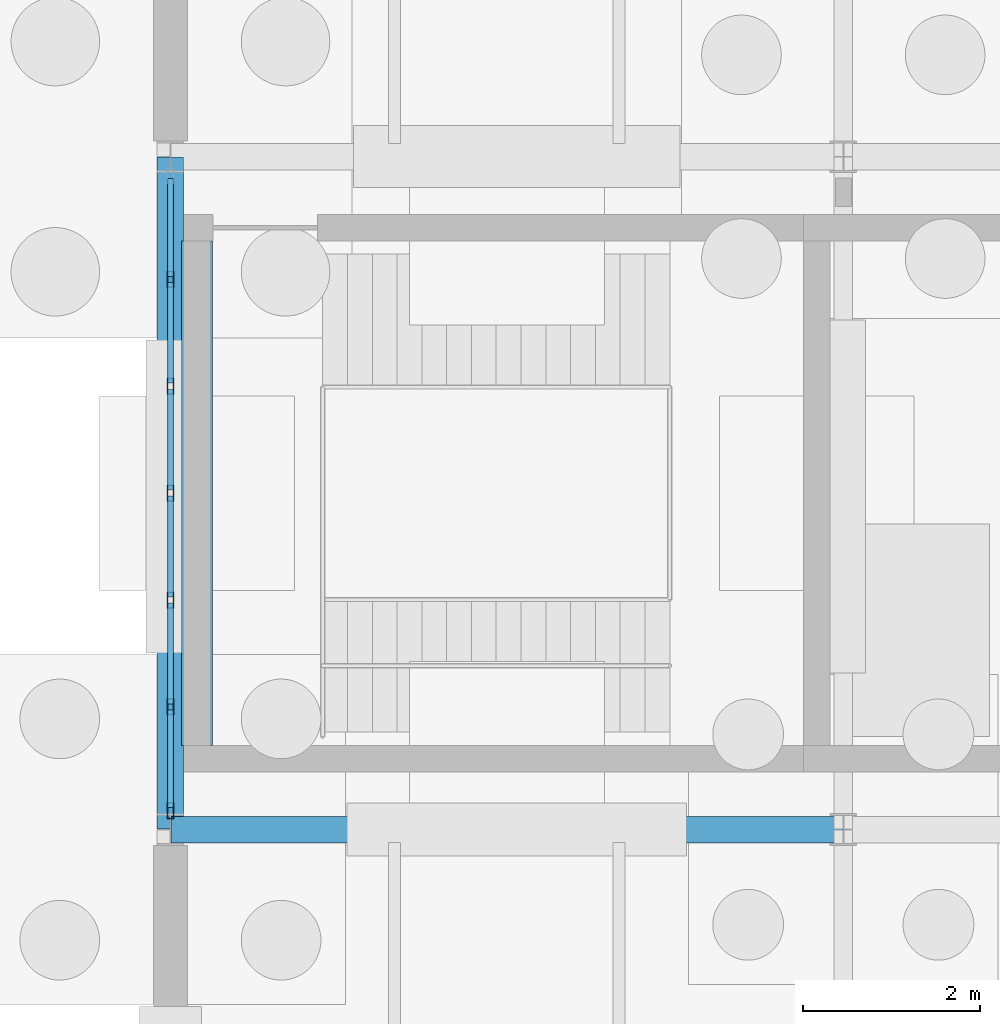
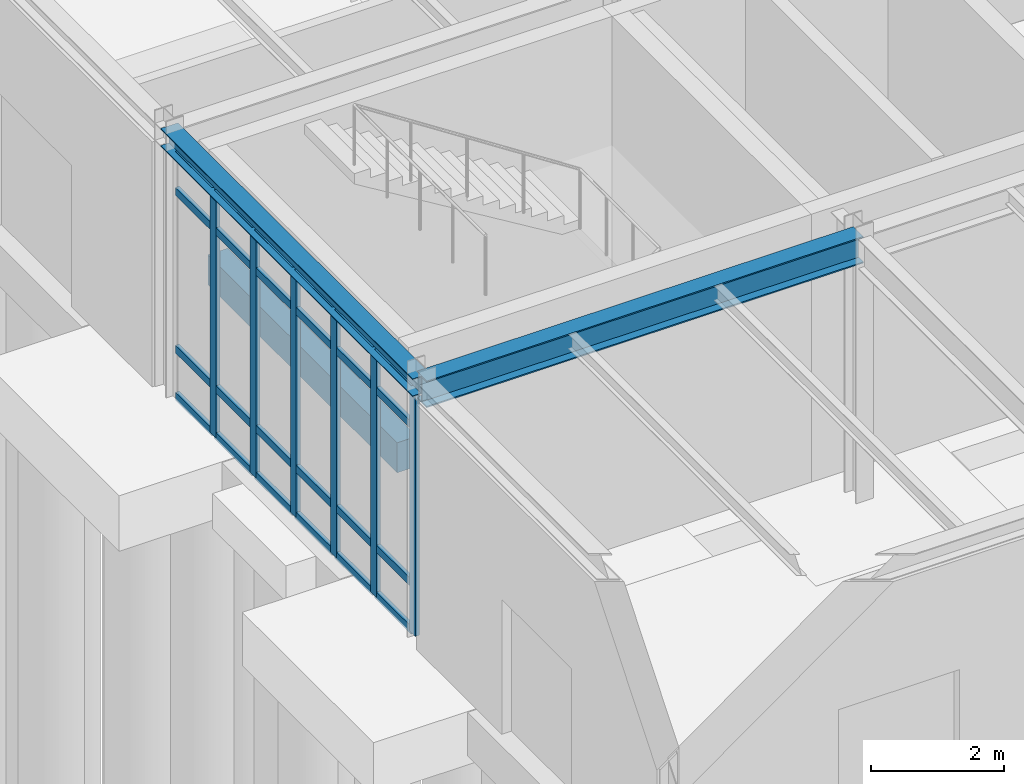
# One storey, part 28 of 109: 30 members, 3 beams, 1 element without a shape of its own.
"""IFC4 building model written with IfcOpenShell, lengths in metres."""

import ifcopenshell
import ifcopenshell.guid

model = None  # the IFC model being written
_history = None  # IfcOwnerHistory: only IFC2X3 demands one
_inside = {}  # id of a spatial element -> (the spatial element, [elements in it])
_under = {}  # id of a project, library or spatial element -> (it, [spatial elements below it])
_declared = {}  # id of a project -> (the project, [libraries it declares])
_typed = {}  # id of a type object -> (the type object, [elements of that type])
_made_of = {}  # id of a material, layer set ... -> (it, [elements and type objects made of it])


def new_model(schema):
    """Start an empty IFC model of exactly this schema.

    Asked for "IFC4X3", IfcOpenShell would pick the latest addendum, in which some entities
    have other attributes; the version numbers below select the first issue.
    IFC2X3 requires an IfcOwnerHistory on every rooted entity: one is made here for all.
    """
    global model, _history
    if schema == "IFC4X3":
        model = ifcopenshell.file(schema_version=(4, 3, 0, 0))
    else:
        model = ifcopenshell.file(schema=schema)
    _inside.clear()
    _under.clear()
    _declared.clear()
    _typed.clear()
    _made_of.clear()
    _history = None
    if model.schema == "IFC2X3":
        org = make("IfcOrganization", Name="unknown")
        user = make(
            "IfcPersonAndOrganization",
            ThePerson=make("IfcPerson", FamilyName="unknown"),
            TheOrganization=org,
        )
        app = make(
            "IfcApplication",
            ApplicationDeveloper=org,
            Version="unknown",
            ApplicationFullName="unknown",
            ApplicationIdentifier="unknown",
        )
        _history = make(
            "IfcOwnerHistory",
            OwningUser=user,
            OwningApplication=app,
            ChangeAction="ADDED",
            CreationDate=0,
        )
    return model


def make(cls, **values):
    """One entity of the class cls with the attributes given. An attribute that is None is left unset."""
    return model.create_entity(
        cls, **{name: value for name, value in values.items() if value is not None}
    )


def rooted(cls, **values):
    """An entity with a GlobalId (a new one), such as an element, a storey or a relation."""
    return make(cls, GlobalId=ifcopenshell.guid.new(), OwnerHistory=_history, **values)


def si_unit(unit_type, name, prefix=None):
    """IfcSIUnit, for example si_unit("LENGTHUNIT", "METRE", prefix="MILLI")."""
    return make("IfcSIUnit", UnitType=unit_type, Prefix=prefix, Name=name)


def assignment(units):
    """IfcUnitAssignment: the units of a project."""
    return None if units is None else make("IfcUnitAssignment", Units=units)


def point(xyz):
    """IfcCartesianPoint."""
    return None if xyz is None else make("IfcCartesianPoint", Coordinates=xyz)


def direction(xyz):
    """IfcDirection."""
    return None if xyz is None else make("IfcDirection", DirectionRatios=xyz)


def frame(location, z_axis=None, x_axis=None):
    """IfcAxis2Placement3D, a coordinate frame: its origin and axes. An axis left out is left unset."""
    return make(
        "IfcAxis2Placement3D",
        Location=point(location),
        Axis=direction(z_axis),
        RefDirection=direction(x_axis),
    )


def frame_2d(location, x_axis=None):
    """IfcAxis2Placement2D, a coordinate frame in the plane: its origin and x axis."""
    return make(
        "IfcAxis2Placement2D", Location=point(location), RefDirection=direction(x_axis)
    )


def origin():
    """The frame at (0, 0, 0) with its axes left unset."""
    return frame((0.0, 0.0, 0.0))


def origin_2d():
    """The frame at (0, 0) in the plane with its x axis left unset."""
    return frame_2d((0.0, 0.0))


def place(relative_to, where):
    """IfcLocalPlacement: puts the frame where relative to a parent placement (None: the world)."""
    return make(
        "IfcLocalPlacement", PlacementRelTo=relative_to, RelativePlacement=where
    )


def context(
    kind, dimensions, precision=None, world=None, true_north=None, identifier=None
):
    """IfcGeometricRepresentationContext, for example the 3D "Model" context."""
    return make(
        "IfcGeometricRepresentationContext",
        ContextIdentifier=identifier,
        ContextType=kind,
        CoordinateSpaceDimension=dimensions,
        Precision=precision,
        WorldCoordinateSystem=world,
        TrueNorth=true_north,
    )


def subcontext(parent, identifier, kind, view, scale=None):
    """IfcGeometricRepresentationSubContext, for example "Body" below "Model"."""
    return make(
        "IfcGeometricRepresentationSubContext",
        ContextIdentifier=identifier,
        ContextType=kind,
        ParentContext=parent,
        TargetScale=scale,
        TargetView=view,
    )


def project(units=None, contexts=None):
    """IfcProject with its units and contexts."""
    return rooted(
        "IfcProject",
        Name="project",
        RepresentationContexts=contexts,
        UnitsInContext=assignment(units),
    )


def spatial(cls, under=None, at=None, **own):
    """A site, building, storey or space (cls), placed at a placement, below another one or the project."""
    s = rooted(cls, ObjectPlacement=at, **own)
    if under is not None:
        _under.setdefault(under.id(), (under, []))[1].append(s)
    return s


def profile(cls, at=None, kind="AREA", **sizes):
    """A parametric profile (cls). Its sizes go by their IFC names, for example OverallWidth=200.0."""
    return make(cls, ProfileType=kind, Position=at, **sizes)


def rectangle(**sizes):
    """IfcRectangleProfileDef."""
    return profile("IfcRectangleProfileDef", **sizes)


def hollow_rectangle(**sizes):
    """IfcRectangleHollowProfileDef."""
    return profile("IfcRectangleHollowProfileDef", **sizes)


def i_section(**sizes):
    """IfcIShapeProfileDef."""
    return profile("IfcIShapeProfileDef", **sizes)


def extrude(swept, where, along, depth):
    """IfcExtrudedAreaSolid: the profile swept, set in the frame where, extruded along a direction by depth."""
    return make(
        "IfcExtrudedAreaSolid",
        SweptArea=swept,
        Position=where,
        ExtrudedDirection=direction(along),
        Depth=depth,
    )


def shape(context_of_items, identifier, shape_type, items):
    """IfcShapeRepresentation: the items that make up one representation, for example the "Body"."""
    return make(
        "IfcShapeRepresentation",
        ContextOfItems=context_of_items,
        RepresentationIdentifier=identifier,
        RepresentationType=shape_type,
        Items=items,
    )


def material(Name=None, Category=None):
    """IfcMaterial."""
    return make("IfcMaterial", Name=Name, Category=Category)


def layer(
    of_material, thickness, ventilated=None, Name=None, Category=None, Priority=None
):
    """IfcMaterialLayer: one layer of a wall or slab, of a material (None: an air gap)."""
    return make(
        "IfcMaterialLayer",
        Material=of_material,
        LayerThickness=thickness,
        IsVentilated=ventilated,
        Name=Name,
        Category=Category,
        Priority=Priority,
    )


def layer_set(layers, Name=None):
    """IfcMaterialLayerSet."""
    return make("IfcMaterialLayerSet", MaterialLayers=layers, LayerSetName=Name)


def material_profile(
    of_material, cross_section, Name=None, Category=None, Priority=None
):
    """IfcMaterialProfile: a cross section and its material."""
    return make(
        "IfcMaterialProfile",
        Name=Name,
        Material=of_material,
        Profile=cross_section,
        Priority=Priority,
        Category=Category,
    )


def profile_set(profiles, Name=None, composite=None):
    """IfcMaterialProfileSet."""
    return make(
        "IfcMaterialProfileSet",
        Name=Name,
        MaterialProfiles=profiles,
        CompositeProfile=composite,
    )


def made_of(thing, what):
    """Note that an element or type object is made of a material, layer set ...; save() writes the relation."""
    if what is not None:
        _made_of.setdefault(what.id(), (what, []))[1].append(thing)
    return thing


def type_object(cls, material=None, **own):
    """A type object (cls), such as IfcWallType, which elements share."""
    return made_of(rooted(cls, **own), material)


def element(
    cls,
    number,
    at=None,
    inside=None,
    cuts=None,
    type_object=None,
    material=None,
    context=None,
    identifier="Body",
    shape_type=None,
    held_by="IfcProductDefinitionShape",
    body=None,
    shapes=None,
    **own,
):
    """One element of the class cls, such as IfcWall. Its Tag is "e" and its number.

    at: its placement. inside: the storey or other place that contains it. cuts: it is an
    opening in that element (IfcRelVoidsElement). A single representation is given by context,
    identifier, shape_type and body (its items); several are given by shapes. held_by: the class
    of the entity that holds the representations. save() writes the other relations.
    """
    e = rooted(cls, Tag="e%d" % number, ObjectPlacement=at, **own)
    if body is not None:
        shapes = [shape(context, identifier, shape_type, body)]
    if shapes is not None:
        e.Representation = make(held_by, Representations=shapes)
    if inside is not None:
        _inside.setdefault(inside.id(), (inside, []))[1].append(e)
    if cuts is not None:
        rooted(
            "IfcRelVoidsElement", RelatingBuildingElement=cuts, RelatedOpeningElement=e
        )
    if type_object is not None:
        _typed.setdefault(type_object.id(), (type_object, []))[1].append(e)
    return made_of(e, material)


def aggregate(whole, parts):
    """IfcRelAggregates: a whole, such as a stair, and the parts it consists of."""
    return rooted("IfcRelAggregates", RelatingObject=whole, RelatedObjects=parts)


def save(model, path):
    """Write the relations noted so far, then the file.

    IfcRelAggregates (storeys below a building ...), IfcRelContainedInSpatialStructure (elements
    in a storey), IfcRelDefinesByType, IfcRelAssociatesMaterial and IfcRelDeclares: one each for
    every whole, place, type object, material and project.
    """
    for whole, parts in _under.values():
        aggregate(whole, parts)
    for where, things in _inside.values():
        rooted(
            "IfcRelContainedInSpatialStructure",
            RelatedElements=things,
            RelatingStructure=where,
        )
    for kind, things in _typed.values():
        rooted("IfcRelDefinesByType", RelatedObjects=things, RelatingType=kind)
    for what, things in _made_of.values():
        rooted("IfcRelAssociatesMaterial", RelatedObjects=things, RelatingMaterial=what)
    for by, libraries in _declared.values():
        rooted("IfcRelDeclares", RelatingContext=by, RelatedDefinitions=libraries)
    model.write(path)


model = new_model("IFC4")

# Units and contexts
model_context = context("Model", 3, precision=1e-05, world=origin(), true_north=direction((0.0, 1.0)))
body_context = subcontext(model_context, "Body", "Model", "MODEL_VIEW")
ifc_project = project(units=[si_unit("LENGTHUNIT", "METRE"), si_unit("AREAUNIT", "SQUARE_METRE"), si_unit("VOLUMEUNIT", "CUBIC_METRE"), si_unit("PLANEANGLEUNIT", "RADIAN"), si_unit("MASSUNIT", "GRAM", prefix="KILO")], contexts=[model_context])

# Site, building, storey
site_placement = place(None, origin())
site = spatial("IfcSite", under=ifc_project, at=site_placement, CompositionType="ELEMENT")
building_placement = place(site_placement, origin())
building = spatial("IfcBuilding", under=site, at=building_placement, Name="Montecoro Central Library", CompositionType="ELEMENT")
storey_placement = place(building_placement, origin())
storey = spatial("IfcBuildingStorey", under=building, at=storey_placement, Name="L00", CompositionType="ELEMENT", Elevation=0.0)

# Beams
ifc_material_1 = material(Name="Steel S355J2", Category="steel")
ifc_material_profile_1 = material_profile(ifc_material_1, i_section(OverallWidth=0.300048828125, OverallDepth=0.489990234375, WebThickness=0.011962890625, FlangeThickness=0.02294921875, at=origin_2d()), Name="HEA 500")
ifc_profile_set_1 = profile_set([ifc_material_profile_1], Name="Steel S355J2")
beam_type_1 = type_object("IfcBeamType", Name="BM-G-HEA500", PredefinedType="USERDEFINED", material=ifc_profile_set_1)
beam_1_placement = place(storey_placement, frame((5.0048828125, 12.60009765625, 4.60009765625), z_axis=(1.0, 0.0, 0.0), x_axis=(0.0, 1.0, 0.0)))
element("IfcBeam", 1, at=beam_1_placement, inside=storey, type_object=beam_type_1, Name="V3-L00-BX-12-B", ObjectType="GIRDER", PredefinedType="USERDEFINED", context=body_context, shape_type="SweptSolid", body=[
    extrude(i_section(OverallWidth=0.300048828125, OverallDepth=0.489990234375, WebThickness=0.011962890625, FlangeThickness=0.02294921875, at=origin_2d()), origin(), (0.0, 0.0, 1.0), 7.590087890625),
])
ifc_material_2 = material(Name="Concrete C35/45", Category="concrete")
ifc_material_profile_2 = material_profile(ifc_material_2, rectangle(XDim=0.35009765625, YDim=0.550048828125, at=origin_2d()), Name="RC LNT 550x350")
ifc_profile_set_2 = profile_set([ifc_material_profile_2], Name="Concrete C35/45")
beam_type_2 = type_object("IfcBeamType", Name="BM-LN-RC04", PredefinedType="LINTEL", material=ifc_profile_set_2)
beam_2_placement = place(storey_placement, frame((5.300048828125, 13.550048828125, 2.72509765625), z_axis=(0.0, 1.0, 0.0), x_axis=(-1.0, 0.0, 0.0)))
element("IfcBeam", 2, at=beam_2_placement, inside=storey, type_object=beam_type_2, Name="C4-L00-LNT", PredefinedType="LINTEL", context=body_context, shape_type="SweptSolid", body=[
    extrude(rectangle(XDim=0.35009765625, YDim=0.550048828125, at=origin_2d()), origin(), (0.0, 0.0, 1.0), 5.699951171875),
])
ifc_material_3 = material(Name="Steel S355", Category="steel")
ifc_material_profile_3 = material_profile(ifc_material_3, i_section(OverallWidth=0.300048828125, OverallDepth=0.330078125, WebThickness=0.009521484375, FlangeThickness=0.0166015625, at=origin_2d()), Name="HEA 340")
ifc_profile_set_3 = profile_set([ifc_material_profile_3], Name="Steel S355")
beam_type_3 = type_object("IfcBeamType", Name="BM-SP-HEA340", PredefinedType="SPANDREL", material=ifc_profile_set_3)
beam_3_placement = place(storey_placement, frame((5.0, 12.60498046875, 4.679931640625), z_axis=(0.0, 1.0, 0.0), x_axis=(-1.0, 0.0, 0.0)))
element("IfcBeam", 3, at=beam_3_placement, inside=storey, type_object=beam_type_3, Name="V3-L00-BY-1-BC", PredefinedType="SPANDREL", context=body_context, shape_type="SweptSolid", body=[
    extrude(i_section(OverallWidth=0.300048828125, OverallDepth=0.330078125, WebThickness=0.009521484375, FlangeThickness=0.0166015625, at=origin_2d()), origin(), (0.0, 0.0, 1.0), 7.590087890625),
])

# Curtain wall, members
ifc_material_4 = material(Name="Bronze-anodised aluminium and low-E glazing", Category="aluminium")
ifc_layer = layer(ifc_material_4, 0.159912109375)
ifc_layer_set = layer_set([ifc_layer], Name="Bronze-anodised aluminium and low-E glazing")
curtain_wall_type = type_object("IfcCurtainWallType", Name="CWT-028", PredefinedType="NOTDEFINED", material=ifc_layer_set)
curtain_wall_placement = place(storey_placement, origin())
curtain_wall = element("IfcCurtainWall", 4, at=curtain_wall_placement, inside=storey, type_object=curtain_wall_type, Name="V3-L00-CW-W1", PredefinedType="NOTDEFINED")
ifc_material_5 = material(Name="Bronze-anodised aluminium", Category="aluminium")
ifc_material_profile_4 = material_profile(ifc_material_5, hollow_rectangle(XDim=0.070068359375, YDim=0.179931640625, WallThickness=0.0048828125, at=origin_2d()), Name="CWM 180x70x5.0")
ifc_profile_set_4 = profile_set([ifc_material_profile_4], Name="Bronze-anodised aluminium")
member_type_1 = type_object("IfcMemberType", Name="CWM-BRZ-70", PredefinedType="MULLION", material=ifc_profile_set_4)
member_1_placement = place(storey_placement, frame((5.0, 18.814697265625, 0.0), z_axis=(0.0, 0.0, 1.0), x_axis=(1.0, 0.0, 0.0)))
member_1 = element("IfcMember", 5, at=member_1_placement, type_object=member_type_1, Name="CW-028 mullion 2", PredefinedType="MULLION", context=body_context, shape_type="SweptSolid", body=[
    extrude(hollow_rectangle(XDim=0.070068359375, YDim=0.179931640625, WallThickness=0.0048828125, at=origin_2d()), origin(), (0.0, 0.0, 1.0), 4.5),
])
member_2_placement = place(storey_placement, frame((5.0, 17.607421875, 0.0), z_axis=(0.0, 0.0, 1.0), x_axis=(1.0, 0.0, 0.0)))
member_2 = element("IfcMember", 6, at=member_2_placement, type_object=member_type_1, Name="CW-028 mullion 3", PredefinedType="MULLION", context=body_context, shape_type="SweptSolid", body=[
    extrude(hollow_rectangle(XDim=0.070068359375, YDim=0.179931640625, WallThickness=0.0048828125, at=origin_2d()), origin(), (0.0, 0.0, 1.0), 4.5),
])
member_3_placement = place(storey_placement, frame((5.0, 16.39990234375, 0.0), z_axis=(0.0, 0.0, 1.0), x_axis=(1.0, 0.0, 0.0)))
member_3 = element("IfcMember", 7, at=member_3_placement, type_object=member_type_1, Name="CW-028 mullion 4", PredefinedType="MULLION", context=body_context, shape_type="SweptSolid", body=[
    extrude(hollow_rectangle(XDim=0.070068359375, YDim=0.179931640625, WallThickness=0.0048828125, at=origin_2d()), origin(), (0.0, 0.0, 1.0), 4.5),
])
member_4_placement = place(storey_placement, frame((5.0, 15.192626953125, 0.0), z_axis=(0.0, 0.0, 1.0), x_axis=(1.0, 0.0, 0.0)))
member_4 = element("IfcMember", 8, at=member_4_placement, type_object=member_type_1, Name="CW-028 mullion 5", PredefinedType="MULLION", context=body_context, shape_type="SweptSolid", body=[
    extrude(hollow_rectangle(XDim=0.070068359375, YDim=0.179931640625, WallThickness=0.0048828125, at=origin_2d()), origin(), (0.0, 0.0, 1.0), 4.5),
])
member_5_placement = place(storey_placement, frame((5.0, 13.9853515625, 0.0), z_axis=(0.0, 0.0, 1.0), x_axis=(1.0, 0.0, 0.0)))
member_5 = element("IfcMember", 9, at=member_5_placement, type_object=member_type_1, Name="CW-028 mullion 6", PredefinedType="MULLION", context=body_context, shape_type="SweptSolid", body=[
    extrude(hollow_rectangle(XDim=0.070068359375, YDim=0.179931640625, WallThickness=0.0048828125, at=origin_2d()), origin(), (0.0, 0.0, 1.0), 4.5),
])
member_6_placement = place(storey_placement, frame((5.0, 12.81298828125, 0.0), z_axis=(0.0, 0.0, 1.0), x_axis=(1.0, 0.0, 0.0)))
member_6 = element("IfcMember", 10, at=member_6_placement, type_object=member_type_1, Name="CW-028 mullion 7", PredefinedType="MULLION", context=body_context, shape_type="SweptSolid", body=[
    extrude(hollow_rectangle(XDim=0.070068359375, YDim=0.179931640625, WallThickness=0.0048828125, at=origin_2d()), origin(), (0.0, 0.0, 1.0), 4.5),
])
ifc_material_profile_5 = material_profile(ifc_material_5, hollow_rectangle(XDim=0.070068359375, YDim=0.139892578125, WallThickness=0.00390625, at=origin_2d()), Name="CWT 140x70x4.0")
ifc_profile_set_5 = profile_set([ifc_material_profile_5], Name="Bronze-anodised aluminium")
member_type_2 = type_object("IfcMemberType", Name="CWT-BRZ-70", PredefinedType="USERDEFINED", material=ifc_profile_set_5)
member_7_placement = place(storey_placement, frame((5.0, 19.951904296875, 0.034912109375), z_axis=(0.0, -1.0, 0.0), x_axis=(1.0, 0.0, 0.0)))
member_7 = element("IfcMember", 11, at=member_7_placement, type_object=member_type_2, Name="CW-028 transom 1.1", ObjectType="TRANSOM", PredefinedType="USERDEFINED", context=body_context, shape_type="SweptSolid", body=[
    extrude(hollow_rectangle(XDim=0.070068359375, YDim=0.139892578125, WallThickness=0.00390625, at=origin_2d()), origin(), (0.0, 0.0, 1.0), 1.102294921875),
])
member_8_placement = place(storey_placement, frame((5.0, 19.951904296875, 0.89990234375), z_axis=(0.0, -1.0, 0.0), x_axis=(1.0, 0.0, 0.0)))
member_8 = element("IfcMember", 12, at=member_8_placement, type_object=member_type_2, Name="CW-028 transom 1.2", ObjectType="TRANSOM", PredefinedType="USERDEFINED", context=body_context, shape_type="SweptSolid", body=[
    extrude(hollow_rectangle(XDim=0.070068359375, YDim=0.139892578125, WallThickness=0.00390625, at=origin_2d()), origin(), (0.0, 0.0, 1.0), 1.102294921875),
])
member_9_placement = place(storey_placement, frame((5.0, 19.951904296875, 3.800048828125), z_axis=(0.0, -1.0, 0.0), x_axis=(1.0, 0.0, 0.0)))
member_9 = element("IfcMember", 13, at=member_9_placement, type_object=member_type_2, Name="CW-028 transom 1.3", ObjectType="TRANSOM", PredefinedType="USERDEFINED", context=body_context, shape_type="SweptSolid", body=[
    extrude(hollow_rectangle(XDim=0.070068359375, YDim=0.139892578125, WallThickness=0.00390625, at=origin_2d()), origin(), (0.0, 0.0, 1.0), 1.102294921875),
])
member_10_placement = place(storey_placement, frame((5.0, 19.951904296875, 4.465087890625), z_axis=(0.0, -1.0, 0.0), x_axis=(1.0, 0.0, 0.0)))
member_10 = element("IfcMember", 14, at=member_10_placement, type_object=member_type_2, Name="CW-028 transom 1.4", ObjectType="TRANSOM", PredefinedType="USERDEFINED", context=body_context, shape_type="SweptSolid", body=[
    extrude(hollow_rectangle(XDim=0.070068359375, YDim=0.139892578125, WallThickness=0.00390625, at=origin_2d()), origin(), (0.0, 0.0, 1.0), 1.102294921875),
])
member_11_placement = place(storey_placement, frame((5.0, 18.77978515625, 0.034912109375), z_axis=(0.0, -1.0, 0.0), x_axis=(1.0, 0.0, 0.0)))
member_11 = element("IfcMember", 15, at=member_11_placement, type_object=member_type_2, Name="CW-028 transom 2.1", ObjectType="TRANSOM", PredefinedType="USERDEFINED", context=body_context, shape_type="SweptSolid", body=[
    extrude(hollow_rectangle(XDim=0.070068359375, YDim=0.139892578125, WallThickness=0.00390625, at=origin_2d()), origin(), (0.0, 0.0, 1.0), 1.137451171875),
])
member_12_placement = place(storey_placement, frame((5.0, 18.77978515625, 0.89990234375), z_axis=(0.0, -1.0, 0.0), x_axis=(1.0, 0.0, 0.0)))
member_12 = element("IfcMember", 16, at=member_12_placement, type_object=member_type_2, Name="CW-028 transom 2.2", ObjectType="TRANSOM", PredefinedType="USERDEFINED", context=body_context, shape_type="SweptSolid", body=[
    extrude(hollow_rectangle(XDim=0.070068359375, YDim=0.139892578125, WallThickness=0.00390625, at=origin_2d()), origin(), (0.0, 0.0, 1.0), 1.137451171875),
])
member_13_placement = place(storey_placement, frame((5.0, 18.77978515625, 3.800048828125), z_axis=(0.0, -1.0, 0.0), x_axis=(1.0, 0.0, 0.0)))
member_13 = element("IfcMember", 17, at=member_13_placement, type_object=member_type_2, Name="CW-028 transom 2.3", ObjectType="TRANSOM", PredefinedType="USERDEFINED", context=body_context, shape_type="SweptSolid", body=[
    extrude(hollow_rectangle(XDim=0.070068359375, YDim=0.139892578125, WallThickness=0.00390625, at=origin_2d()), origin(), (0.0, 0.0, 1.0), 1.137451171875),
])
member_14_placement = place(storey_placement, frame((5.0, 18.77978515625, 4.465087890625), z_axis=(0.0, -1.0, 0.0), x_axis=(1.0, 0.0, 0.0)))
member_14 = element("IfcMember", 18, at=member_14_placement, type_object=member_type_2, Name="CW-028 transom 2.4", ObjectType="TRANSOM", PredefinedType="USERDEFINED", context=body_context, shape_type="SweptSolid", body=[
    extrude(hollow_rectangle(XDim=0.070068359375, YDim=0.139892578125, WallThickness=0.00390625, at=origin_2d()), origin(), (0.0, 0.0, 1.0), 1.137451171875),
])
member_15_placement = place(storey_placement, frame((5.0, 17.572265625, 0.034912109375), z_axis=(0.0, -1.0, 0.0), x_axis=(1.0, 0.0, 0.0)))
member_15 = element("IfcMember", 19, at=member_15_placement, type_object=member_type_2, Name="CW-028 transom 3.1", ObjectType="TRANSOM", PredefinedType="USERDEFINED", context=body_context, shape_type="SweptSolid", body=[
    extrude(hollow_rectangle(XDim=0.070068359375, YDim=0.139892578125, WallThickness=0.00390625, at=origin_2d()), origin(), (0.0, 0.0, 1.0), 1.13720703125),
])
member_16_placement = place(storey_placement, frame((5.0, 17.572265625, 0.89990234375), z_axis=(0.0, -1.0, 0.0), x_axis=(1.0, 0.0, 0.0)))
member_16 = element("IfcMember", 20, at=member_16_placement, type_object=member_type_2, Name="CW-028 transom 3.2", ObjectType="TRANSOM", PredefinedType="USERDEFINED", context=body_context, shape_type="SweptSolid", body=[
    extrude(hollow_rectangle(XDim=0.070068359375, YDim=0.139892578125, WallThickness=0.00390625, at=origin_2d()), origin(), (0.0, 0.0, 1.0), 1.13720703125),
])
member_17_placement = place(storey_placement, frame((5.0, 17.572265625, 3.800048828125), z_axis=(0.0, -1.0, 0.0), x_axis=(1.0, 0.0, 0.0)))
member_17 = element("IfcMember", 21, at=member_17_placement, type_object=member_type_2, Name="CW-028 transom 3.3", ObjectType="TRANSOM", PredefinedType="USERDEFINED", context=body_context, shape_type="SweptSolid", body=[
    extrude(hollow_rectangle(XDim=0.070068359375, YDim=0.139892578125, WallThickness=0.00390625, at=origin_2d()), origin(), (0.0, 0.0, 1.0), 1.13720703125),
])
member_18_placement = place(storey_placement, frame((5.0, 17.572265625, 4.465087890625), z_axis=(0.0, -1.0, 0.0), x_axis=(1.0, 0.0, 0.0)))
member_18 = element("IfcMember", 22, at=member_18_placement, type_object=member_type_2, Name="CW-028 transom 3.4", ObjectType="TRANSOM", PredefinedType="USERDEFINED", context=body_context, shape_type="SweptSolid", body=[
    extrude(hollow_rectangle(XDim=0.070068359375, YDim=0.139892578125, WallThickness=0.00390625, at=origin_2d()), origin(), (0.0, 0.0, 1.0), 1.13720703125),
])
member_19_placement = place(storey_placement, frame((5.0, 16.364990234375, 0.034912109375), z_axis=(0.0, -1.0, 0.0), x_axis=(1.0, 0.0, 0.0)))
member_19 = element("IfcMember", 23, at=member_19_placement, type_object=member_type_2, Name="CW-028 transom 4.1", ObjectType="TRANSOM", PredefinedType="USERDEFINED", context=body_context, shape_type="SweptSolid", body=[
    extrude(hollow_rectangle(XDim=0.070068359375, YDim=0.139892578125, WallThickness=0.00390625, at=origin_2d()), origin(), (0.0, 0.0, 1.0), 1.13720703125),
])
member_20_placement = place(storey_placement, frame((5.0, 16.364990234375, 0.89990234375), z_axis=(0.0, -1.0, 0.0), x_axis=(1.0, 0.0, 0.0)))
member_20 = element("IfcMember", 24, at=member_20_placement, type_object=member_type_2, Name="CW-028 transom 4.2", ObjectType="TRANSOM", PredefinedType="USERDEFINED", context=body_context, shape_type="SweptSolid", body=[
    extrude(hollow_rectangle(XDim=0.070068359375, YDim=0.139892578125, WallThickness=0.00390625, at=origin_2d()), origin(), (0.0, 0.0, 1.0), 1.13720703125),
])
member_21_placement = place(storey_placement, frame((5.0, 16.364990234375, 3.800048828125), z_axis=(0.0, -1.0, 0.0), x_axis=(1.0, 0.0, 0.0)))
member_21 = element("IfcMember", 25, at=member_21_placement, type_object=member_type_2, Name="CW-028 transom 4.3", ObjectType="TRANSOM", PredefinedType="USERDEFINED", context=body_context, shape_type="SweptSolid", body=[
    extrude(hollow_rectangle(XDim=0.070068359375, YDim=0.139892578125, WallThickness=0.00390625, at=origin_2d()), origin(), (0.0, 0.0, 1.0), 1.13720703125),
])
member_22_placement = place(storey_placement, frame((5.0, 16.364990234375, 4.465087890625), z_axis=(0.0, -1.0, 0.0), x_axis=(1.0, 0.0, 0.0)))
member_22 = element("IfcMember", 26, at=member_22_placement, type_object=member_type_2, Name="CW-028 transom 4.4", ObjectType="TRANSOM", PredefinedType="USERDEFINED", context=body_context, shape_type="SweptSolid", body=[
    extrude(hollow_rectangle(XDim=0.070068359375, YDim=0.139892578125, WallThickness=0.00390625, at=origin_2d()), origin(), (0.0, 0.0, 1.0), 1.13720703125),
])
member_23_placement = place(storey_placement, frame((5.0, 15.15771484375, 0.034912109375), z_axis=(0.0, -1.0, 0.0), x_axis=(1.0, 0.0, 0.0)))
member_23 = element("IfcMember", 27, at=member_23_placement, type_object=member_type_2, Name="CW-028 transom 5.1", ObjectType="TRANSOM", PredefinedType="USERDEFINED", context=body_context, shape_type="SweptSolid", body=[
    extrude(hollow_rectangle(XDim=0.070068359375, YDim=0.139892578125, WallThickness=0.00390625, at=origin_2d()), origin(), (0.0, 0.0, 1.0), 1.137451171875),
])
member_24_placement = place(storey_placement, frame((5.0, 15.15771484375, 0.89990234375), z_axis=(0.0, -1.0, 0.0), x_axis=(1.0, 0.0, 0.0)))
member_24 = element("IfcMember", 28, at=member_24_placement, type_object=member_type_2, Name="CW-028 transom 5.2", ObjectType="TRANSOM", PredefinedType="USERDEFINED", context=body_context, shape_type="SweptSolid", body=[
    extrude(hollow_rectangle(XDim=0.070068359375, YDim=0.139892578125, WallThickness=0.00390625, at=origin_2d()), origin(), (0.0, 0.0, 1.0), 1.137451171875),
])
member_25_placement = place(storey_placement, frame((5.0, 15.15771484375, 3.800048828125), z_axis=(0.0, -1.0, 0.0), x_axis=(1.0, 0.0, 0.0)))
member_25 = element("IfcMember", 29, at=member_25_placement, type_object=member_type_2, Name="CW-028 transom 5.3", ObjectType="TRANSOM", PredefinedType="USERDEFINED", context=body_context, shape_type="SweptSolid", body=[
    extrude(hollow_rectangle(XDim=0.070068359375, YDim=0.139892578125, WallThickness=0.00390625, at=origin_2d()), origin(), (0.0, 0.0, 1.0), 1.137451171875),
])
member_26_placement = place(storey_placement, frame((5.0, 15.15771484375, 4.465087890625), z_axis=(0.0, -1.0, 0.0), x_axis=(1.0, 0.0, 0.0)))
member_26 = element("IfcMember", 30, at=member_26_placement, type_object=member_type_2, Name="CW-028 transom 5.4", ObjectType="TRANSOM", PredefinedType="USERDEFINED", context=body_context, shape_type="SweptSolid", body=[
    extrude(hollow_rectangle(XDim=0.070068359375, YDim=0.139892578125, WallThickness=0.00390625, at=origin_2d()), origin(), (0.0, 0.0, 1.0), 1.137451171875),
])
member_27_placement = place(storey_placement, frame((5.0, 13.950439453125, 0.034912109375), z_axis=(0.0, -1.0, 0.0), x_axis=(1.0, 0.0, 0.0)))
member_27 = element("IfcMember", 31, at=member_27_placement, type_object=member_type_2, Name="CW-028 transom 6.1", ObjectType="TRANSOM", PredefinedType="USERDEFINED", context=body_context, shape_type="SweptSolid", body=[
    extrude(hollow_rectangle(XDim=0.070068359375, YDim=0.139892578125, WallThickness=0.00390625, at=origin_2d()), origin(), (0.0, 0.0, 1.0), 1.1025390625),
])
member_28_placement = place(storey_placement, frame((5.0, 13.950439453125, 0.89990234375), z_axis=(0.0, -1.0, 0.0), x_axis=(1.0, 0.0, 0.0)))
member_28 = element("IfcMember", 32, at=member_28_placement, type_object=member_type_2, Name="CW-028 transom 6.2", ObjectType="TRANSOM", PredefinedType="USERDEFINED", context=body_context, shape_type="SweptSolid", body=[
    extrude(hollow_rectangle(XDim=0.070068359375, YDim=0.139892578125, WallThickness=0.00390625, at=origin_2d()), origin(), (0.0, 0.0, 1.0), 1.1025390625),
])
member_29_placement = place(storey_placement, frame((5.0, 13.950439453125, 3.800048828125), z_axis=(0.0, -1.0, 0.0), x_axis=(1.0, 0.0, 0.0)))
member_29 = element("IfcMember", 33, at=member_29_placement, type_object=member_type_2, Name="CW-028 transom 6.3", ObjectType="TRANSOM", PredefinedType="USERDEFINED", context=body_context, shape_type="SweptSolid", body=[
    extrude(hollow_rectangle(XDim=0.070068359375, YDim=0.139892578125, WallThickness=0.00390625, at=origin_2d()), origin(), (0.0, 0.0, 1.0), 1.1025390625),
])
member_30_placement = place(storey_placement, frame((5.0, 13.950439453125, 4.465087890625), z_axis=(0.0, -1.0, 0.0), x_axis=(1.0, 0.0, 0.0)))
member_30 = element("IfcMember", 34, at=member_30_placement, type_object=member_type_2, Name="CW-028 transom 6.4", ObjectType="TRANSOM", PredefinedType="USERDEFINED", context=body_context, shape_type="SweptSolid", body=[
    extrude(hollow_rectangle(XDim=0.070068359375, YDim=0.139892578125, WallThickness=0.00390625, at=origin_2d()), origin(), (0.0, 0.0, 1.0), 1.1025390625),
])
aggregate(curtain_wall, [member_1, member_2, member_3, member_4, member_5, member_6, member_7, member_8, member_9, member_10, member_11, member_12, member_13, member_14, member_15, member_16, member_17, member_18, member_19, member_20, member_21, member_22, member_23, member_24, member_25, member_26, member_27, member_28, member_29, member_30])

save(model, "model.ifc")
